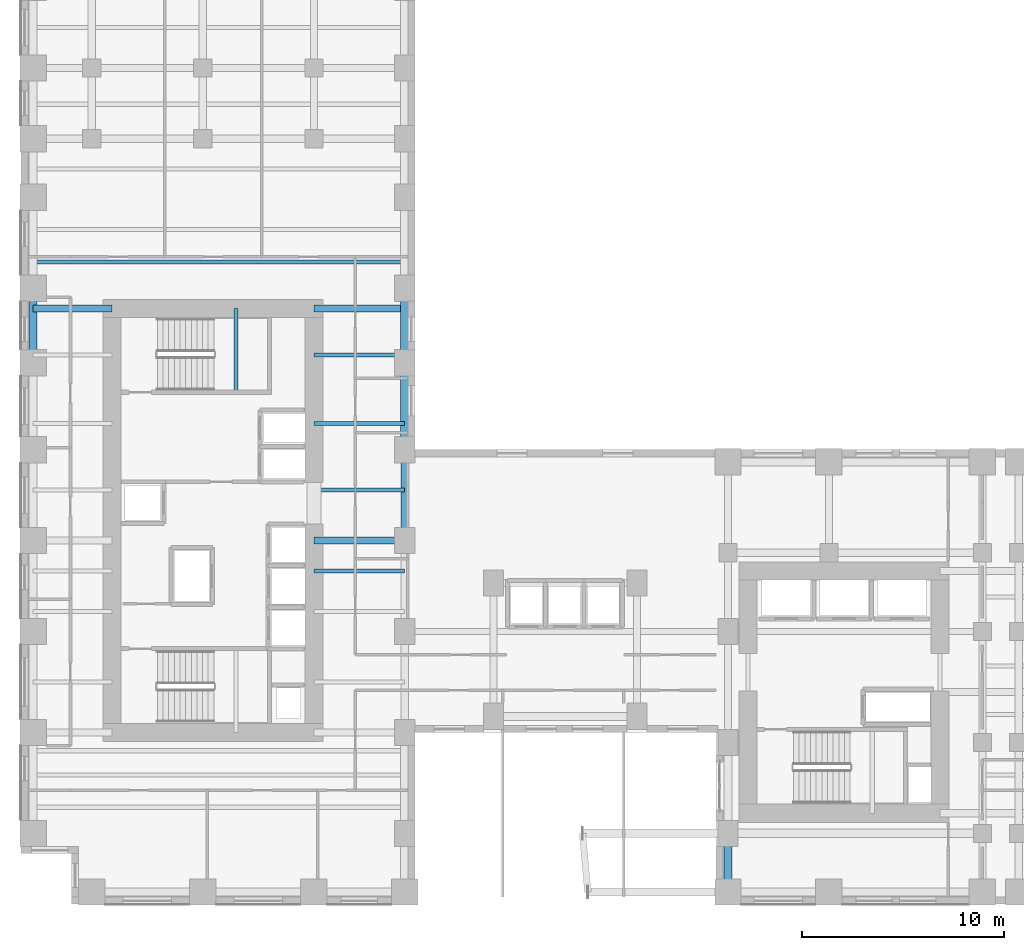
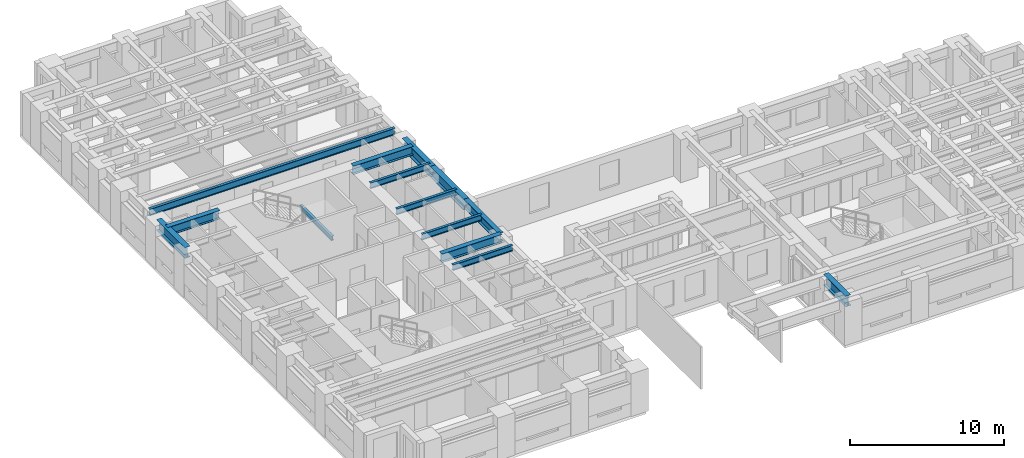
# One storey, part 2 of 14: 14 beams.
"""IFC4 building model written with IfcOpenShell, lengths in metres."""

from ifc_helpers import new_model, si_unit, direction, frame, origin, origin_2d, place, context, subcontext, project, spatial, i_section, extrude, source, transform, mapped, material, material_profile, profile_set, type_object, element, save


model = new_model("IFC4")

# Units and contexts
model_context = context("Model", 3, precision=1e-05, world=origin(), true_north=direction((0.0, 1.0)))
body_context = subcontext(model_context, "Body", "Model", "MODEL_VIEW")
ifc_project = project(units=[si_unit("LENGTHUNIT", "METRE"), si_unit("AREAUNIT", "SQUARE_METRE"), si_unit("VOLUMEUNIT", "CUBIC_METRE"), si_unit("PLANEANGLEUNIT", "RADIAN"), si_unit("MASSUNIT", "GRAM", prefix="KILO")], contexts=[model_context])

# Site, building, storey
site_placement = place(None, origin())
site = spatial("IfcSite", under=ifc_project, at=site_placement, CompositionType="ELEMENT")
building_placement = place(site_placement, origin())
building = spatial("IfcBuilding", under=site, at=building_placement, Name="Kharzan Plaza Tower", CompositionType="ELEMENT")
storey_placement = place(building_placement, frame((0.0, 0.0, 58.5)))
storey = spatial("IfcBuildingStorey", under=building, at=storey_placement, Name="L15", CompositionType="ELEMENT", Elevation=58.5)

# Beams
ifc_material = material(Name="Steel S355", Category="steel")
ifc_material_profile_1 = material_profile(ifc_material, i_section(OverallWidth=0.205078125, OverallDepth=0.35400390625, WebThickness=0.009521484375, FlangeThickness=0.016845703125, at=origin_2d()), Name="W360x79")
ifc_profile_set_1 = profile_set([ifc_material_profile_1], Name="Steel S355")
beam_type_1 = type_object("IfcBeamType", Name="BM-LNT360", PredefinedType="LINTEL", material=ifc_profile_set_1)
shared_shape_1 = source(origin(), body_context, "Body", "SweptSolid", [
    extrude(i_section(OverallWidth=0.205078125, OverallDepth=0.35400390625, WebThickness=0.009521484375, FlangeThickness=0.016845703125, at=origin_2d()), origin(), (0.0, 0.0, 1.0), 4.155029296875),
])
beam_1_placement = place(storey_placement, frame((10.64990234375, 25.344970703125, 1.423095703125), z_axis=(0.0, 1.0, 0.0), x_axis=(-1.0, 0.0, 0.0)))
element("IfcBeam", 1, at=beam_1_placement, inside=storey, type_object=beam_type_1, Name="L15 Stair ST-2 Half-Landing Beam", PredefinedType="LINTEL", context=body_context, shape_type="MappedRepresentation", body=[
    mapped(shared_shape_1, transform((0.0, 0.0, 0.0), x_axis=(1.0, 0.0, 0.0), y_axis=(0.0, 1.0, 0.0), z_axis=(0.0, 0.0, 1.0))),
])
ifc_material_profile_2 = material_profile(ifc_material, i_section(OverallWidth=0.35498046875, OverallDepth=0.695068359375, WebThickness=0.015380859375, FlangeThickness=0.02490234375, at=origin_2d()), Name="W690x217")
ifc_profile_set_2 = profile_set([ifc_material_profile_2], Name="Steel S355")
beam_type_2 = type_object("IfcBeamType", Name="BM-FG690A", PredefinedType="BEAM", material=ifc_profile_set_2)
shared_shape_2 = source(origin(), body_context, "Body", "SweptSolid", [
    extrude(i_section(OverallWidth=0.35498046875, OverallDepth=0.695068359375, WebThickness=0.015380859375, FlangeThickness=0.02490234375, at=origin_2d()), origin(), (0.0, 0.0, 1.0), 4.5),
])
for number, where, z_axis, x_axis, name in (
    (2, (14.5, 18.0, 3.032470703125), (1.0, 0.0, 0.0), (0.0, 1.0, 0.0), "L15 Core-A East Floor Girder 2"),
    (3, (14.5, 29.5, 3.032470703125), (1.0, 0.0, 0.0), (0.0, 1.0, 0.0), "L15 Core-A East Floor Girder 3"),
    (4, (19.0, 18.0, 3.032470703125), (0.0, 1.0, 0.0), (-1.0, 0.0, 0.0), "L15 Interior Frame Girder"),
):
    element("IfcBeam", number, at=place(storey_placement, frame(where, z_axis=z_axis, x_axis=x_axis)), inside=storey, type_object=beam_type_2, Name=name, PredefinedType="BEAM", context=body_context, shape_type="MappedRepresentation", body=[
        mapped(shared_shape_2, transform((0.0, 0.0, 0.0), x_axis=(1.0, 0.0, 0.0), y_axis=(0.0, 1.0, 0.0), z_axis=(0.0, 0.0, 1.0))),
    ])
shared_shape_3 = source(origin(), body_context, "Body", "SweptSolid", [
    extrude(i_section(OverallWidth=0.35498046875, OverallDepth=0.695068359375, WebThickness=0.015380859375, FlangeThickness=0.02490234375, at=origin_2d()), origin(), (0.0, 0.0, 1.0), 3.89990234375),
])
beam_2_placement = place(storey_placement, frame((0.60009765625, 29.5, 3.032470703125), z_axis=(1.0, 0.0, 0.0), x_axis=(0.0, 1.0, 0.0)))
element("IfcBeam", 5, at=beam_2_placement, inside=storey, type_object=beam_type_2, Name="L15 Core-A West Floor Girder 3", PredefinedType="BEAM", context=body_context, shape_type="MappedRepresentation", body=[
    mapped(shared_shape_3, transform((0.0, 0.0, 0.0), x_axis=(1.0, 0.0, 0.0), y_axis=(0.0, 1.0, 0.0), z_axis=(0.0, 0.0, 1.0))),
])
ifc_material_profile_3 = material_profile(ifc_material, i_section(OverallWidth=0.2099609375, OverallDepth=0.537109375, WebThickness=0.010986328125, FlangeThickness=0.017333984375, at=origin_2d()), Name="W530x101")
ifc_profile_set_3 = profile_set([ifc_material_profile_3], Name="Steel S355")
beam_type_3 = type_object("IfcBeamType", Name="BM-JST530B", PredefinedType="JOIST", material=ifc_profile_set_3)
shared_shape_4 = source(origin(), body_context, "Body", "SweptSolid", [
    extrude(i_section(OverallWidth=0.2099609375, OverallDepth=0.537109375, WebThickness=0.010986328125, FlangeThickness=0.017333984375, at=origin_2d()), origin(), (0.0, 0.0, 1.0), 18.39990234375),
])
beam_3_placement = place(storey_placement, frame((0.60009765625, 31.800048828125, 3.111572265625), z_axis=(1.0, 0.0, 0.0), x_axis=(0.0, 1.0, 0.0)))
element("IfcBeam", 6, at=beam_3_placement, inside=storey, type_object=beam_type_3, Name="L15 Wing A Composite Joist 04", PredefinedType="JOIST", context=body_context, shape_type="MappedRepresentation", body=[
    mapped(shared_shape_4, transform((0.0, 0.0, 0.0), x_axis=(1.0, 0.0, 0.0), y_axis=(0.0, 1.0, 0.0), z_axis=(0.0, 0.0, 1.0))),
])
ifc_material_profile_4 = material_profile(ifc_material, i_section(OverallWidth=0.194091796875, OverallDepth=0.468994140625, WebThickness=0.011474609375, FlangeThickness=0.0205078125, at=origin_2d()), Name="W460x106")
ifc_profile_set_4 = profile_set([ifc_material_profile_4], Name="Steel S355")
beam_type_4 = type_object("IfcBeamType", Name="BM-JST460", PredefinedType="JOIST", material=ifc_profile_set_4)
shared_shape_5 = source(origin(), body_context, "Body", "SweptSolid", [
    extrude(i_section(OverallWidth=0.194091796875, OverallDepth=0.468994140625, WebThickness=0.011474609375, FlangeThickness=0.0205078125, at=origin_2d()), origin(), (0.0, 0.0, 1.0), 4.5),
])
for number, where, z_axis, x_axis, name in (
    (7, (14.5, 16.5, 3.1455078125), (1.0, 0.0, 0.0), (0.0, 1.0, 0.0), "L15 Wing A East Infill Joist 3"),
    (8, (14.5, 20.5, 3.1455078125), (1.0, 0.0, 0.0), (0.0, 1.0, 0.0), "L15 Wing A East Infill Joist 4"),
    (9, (14.5, 23.800048828125, 3.1455078125), (1.0, 0.0, 0.0), (0.0, 1.0, 0.0), "L15 Wing A East Infill Joist 5"),
    (10, (14.5, 27.199951171875, 3.1455078125), (1.0, 0.0, 0.0), (0.0, 1.0, 0.0), "L15 Wing A East Infill Joist 6"),
):
    element("IfcBeam", number, at=place(storey_placement, frame(where, z_axis=z_axis, x_axis=x_axis)), inside=storey, type_object=beam_type_4, Name=name, PredefinedType="JOIST", context=body_context, shape_type="MappedRepresentation", body=[
        mapped(shared_shape_5, transform((0.0, 0.0, 0.0), x_axis=(1.0, 0.0, 0.0), y_axis=(0.0, 1.0, 0.0), z_axis=(0.0, 0.0, 1.0))),
    ])
ifc_material_profile_5 = material_profile(ifc_material, i_section(OverallWidth=0.40087890625, OverallDepth=0.85498046875, WebThickness=0.018310546875, FlangeThickness=0.029296875, at=origin_2d()), Name="W840x299")
ifc_profile_set_5 = profile_set([ifc_material_profile_5], Name="Steel S355")
beam_type_5 = type_object("IfcBeamType", Name="BM-SP840A", PredefinedType="SPANDREL", material=ifc_profile_set_5)
shared_shape_6 = source(origin(), body_context, "Body", "SweptSolid", [
    extrude(i_section(OverallWidth=0.40087890625, OverallDepth=0.85498046875, WebThickness=0.018310546875, FlangeThickness=0.029296875, at=origin_2d()), origin(), (0.0, 0.0, 1.0), 4.300048828125),
])
beam_4_placement = place(storey_placement, frame((19.0, 22.5, 2.952392578125), z_axis=(0.0, 1.0, 0.0), x_axis=(-1.0, 0.0, 0.0)))
element("IfcBeam", 11, at=beam_4_placement, inside=storey, type_object=beam_type_5, Name="L15 Perimeter Tube Spandrel", PredefinedType="SPANDREL", context=body_context, shape_type="MappedRepresentation", body=[
    mapped(shared_shape_6, transform((0.0, 0.0, 0.0), x_axis=(1.0, 0.0, 0.0), y_axis=(0.0, 1.0, 0.0), z_axis=(0.0, 0.0, 1.0))),
])
shared_shape_7 = source(origin(), body_context, "Body", "SweptSolid", [
    extrude(i_section(OverallWidth=0.40087890625, OverallDepth=0.85498046875, WebThickness=0.018310546875, FlangeThickness=0.029296875, at=origin_2d()), origin(), (0.0, 0.0, 1.0), 3.699951171875),
])
for number, where, z_axis, x_axis, name in (
    (12, (0.60009765625, 26.800048828125, 2.952392578125), (0.0, 1.0, 0.0), (-1.0, 0.0, 0.0), "L15 Perimeter Tube Spandrel"),
    (13, (19.0, 26.800048828125, 2.952392578125), (0.0, 1.0, 0.0), (-1.0, 0.0, 0.0), "L15 Perimeter Tube Spandrel"),
):
    element("IfcBeam", number, at=place(storey_placement, frame(where, z_axis=z_axis, x_axis=x_axis)), inside=storey, type_object=beam_type_5, Name=name, PredefinedType="SPANDREL", context=body_context, shape_type="MappedRepresentation", body=[
        mapped(shared_shape_7, transform((0.0, 0.0, 0.0), x_axis=(1.0, 0.0, 0.0), y_axis=(0.0, 1.0, 0.0), z_axis=(0.0, 0.0, 1.0))),
    ])
shared_shape_8 = source(origin(), body_context, "Body", "SweptSolid", [
    extrude(i_section(OverallWidth=0.40087890625, OverallDepth=0.85498046875, WebThickness=0.018310546875, FlangeThickness=0.029296875, at=origin_2d()), origin(), (0.0, 0.0, 1.0), 2.89990234375),
])
beam_5_placement = place(storey_placement, frame((35.0, 0.60009765625, 2.952392578125), z_axis=(0.0, 1.0, 0.0), x_axis=(-1.0, 0.0, 0.0)))
element("IfcBeam", 14, at=beam_5_placement, inside=storey, type_object=beam_type_5, Name="L15 Perimeter Tube Spandrel", PredefinedType="SPANDREL", context=body_context, shape_type="MappedRepresentation", body=[
    mapped(shared_shape_8, transform((0.0, 0.0, 0.0), x_axis=(1.0, 0.0, 0.0), y_axis=(0.0, 1.0, 0.0), z_axis=(0.0, 0.0, 1.0))),
])

save(model, "model.ifc")
